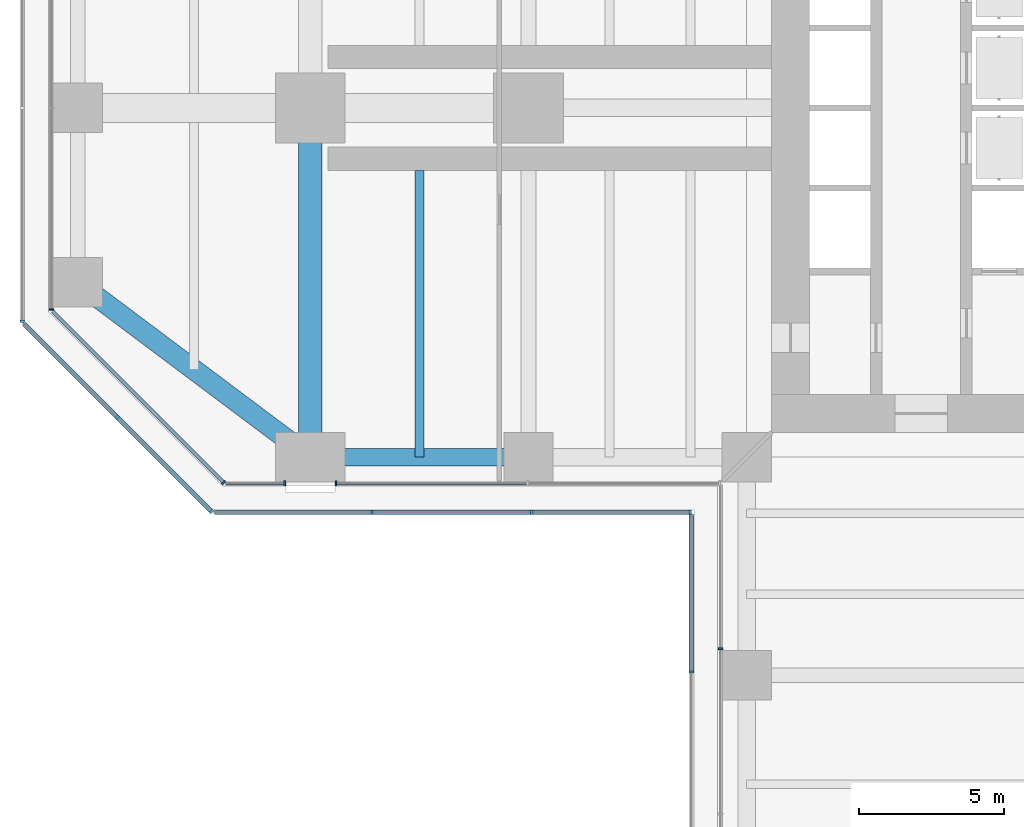
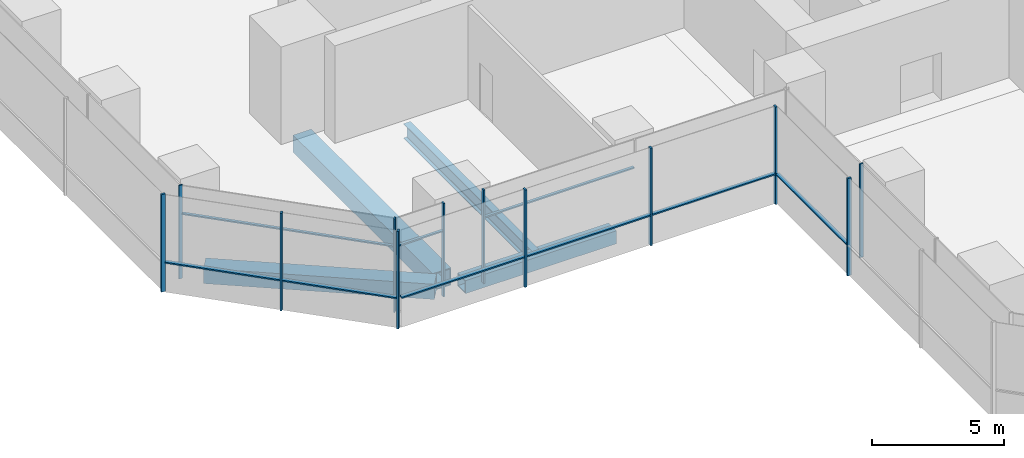
# One storey, part 3 of 27: 21 members, 4 beams, 9 elements without a shape of their own.
"""IFC4 building model written with IfcOpenShell, lengths in metres."""

from ifc_helpers import new_model, si_unit, direction, frame, origin, origin_2d, place, context, subcontext, project, spatial, rectangle, hollow_rectangle, i_section, extrude, material, material_profile, profile_set, type_object, element, aggregate, save


model = new_model("IFC4")

# Units and contexts
model_context = context("Model", 3, precision=1e-05, world=origin(), true_north=direction((0.0, 1.0)))
body_context = subcontext(model_context, "Body", "Model", "MODEL_VIEW")
ifc_project = project(units=[si_unit("LENGTHUNIT", "METRE"), si_unit("AREAUNIT", "SQUARE_METRE"), si_unit("VOLUMEUNIT", "CUBIC_METRE"), si_unit("PLANEANGLEUNIT", "RADIAN"), si_unit("MASSUNIT", "GRAM", prefix="KILO")], contexts=[model_context])

# Site, building, storey
site_placement = place(None, origin())
site = spatial("IfcSite", under=ifc_project, at=site_placement, CompositionType="ELEMENT")
building_placement = place(site_placement, origin())
building = spatial("IfcBuilding", under=site, at=building_placement, Name="Mizan Broadcast Tower", CompositionType="ELEMENT")
storey_placement = place(building_placement, frame((0.0, 0.0, 113.699951171875)))
storey = spatial("IfcBuildingStorey", under=building, at=storey_placement, Name="L25", CompositionType="ELEMENT", Elevation=113.699951171875)

# Beams
ifc_material_1 = material(Name="Steel S355", Category="steel")
ifc_material_profile_1 = material_profile(ifc_material_1, hollow_rectangle(XDim=0.60009765625, YDim=0.60009765625, WallThickness=0.0400390625, at=origin_2d()), Name="BOX 600x600x40")
ifc_profile_set_1 = profile_set([ifc_material_profile_1], Name="Steel S355")
beam_type_1 = type_object("IfcBeamType", Name="EDGE BEAM BOX 600x600x40", PredefinedType="SPANDREL", material=ifc_profile_set_1)
beam_1_placement = place(storey_placement, frame((-19.949951171875, -12.0, -0.429931640625), z_axis=(-1.0, 0.0, 0.0), x_axis=(0.0, -1.0, 0.0)))
element("IfcBeam", 1, at=beam_1_placement, inside=storey, type_object=beam_type_1, Name="Edge beam BOX 600x600x40 L25 west arm", PredefinedType="SPANDREL", context=body_context, shape_type="SweptSolid", body=[
    extrude(hollow_rectangle(XDim=0.60009765625, YDim=0.60009765625, WallThickness=0.0400390625, at=origin_2d()), origin(), (0.0, 0.0, 1.0), 6.60009765625),
])
ifc_material_2 = material(Name="Steel S355", Category="steel")
ifc_material_profile_2 = material_profile(ifc_material_2, hollow_rectangle(XDim=0.699951171875, YDim=0.699951171875, WallThickness=0.0400390625, at=origin_2d()), Name="BOX 700x700x40")
ifc_profile_set_2 = profile_set([ifc_material_profile_2], Name="Steel S355")
beam_type_2 = type_object("IfcBeamType", Name="EDGE BEAM BOX 700x700x40", PredefinedType="SPANDREL", material=ifc_profile_set_2)
beam_2_placement = place(storey_placement, frame((-27.47998046875, -11.639892578125, -0.47998046875), z_axis=(-0.800013316712, 0.599982243973, 0.0), x_axis=(-0.599982243973, -0.800013316712, 0.0)))
element("IfcBeam", 2, at=beam_2_placement, inside=storey, type_object=beam_type_2, Name="Edge beam BOX 700x700x40 L25 west arm", PredefinedType="SPANDREL", context=body_context, shape_type="SweptSolid", body=[
    extrude(hollow_rectangle(XDim=0.699951171875, YDim=0.699951171875, WallThickness=0.0400390625, at=origin_2d()), origin(), (0.0, 0.0, 1.0), 8.7998046875),
])
ifc_material_3 = material(Name="Steel S460", Category="steel")
ifc_material_profile_3 = material_profile(ifc_material_3, hollow_rectangle(XDim=0.800048828125, YDim=0.800048828125, WallThickness=0.050048828125, at=origin_2d()), Name="BOX 800x800x50")
ifc_profile_set_3 = profile_set([ifc_material_profile_3], Name="Steel S460")
beam_type_3 = type_object("IfcBeamType", Name="GIRDER BOX 800x800x50", PredefinedType="BEAM", material=ifc_profile_set_3)
beam_3_placement = place(storey_placement, frame((-27.0, -11.280029296875, -0.530029296875), z_axis=(0.0, 1.0, 0.0), x_axis=(-1.0, 0.0, 0.0)))
element("IfcBeam", 3, at=beam_3_placement, inside=storey, type_object=beam_type_3, Name="Girder BOX 800x800x50 L25 west arm", PredefinedType="BEAM", context=body_context, shape_type="SweptSolid", body=[
    extrude(hollow_rectangle(XDim=0.800048828125, YDim=0.800048828125, WallThickness=0.050048828125, at=origin_2d()), origin(), (0.0, 0.0, 1.0), 10.56005859375),
])

# Curtain wall, member
ifc_material_4 = material(Name="Aluminium framed glazing", Category="aluminium")
curtain_wall_type_1 = type_object("IfcCurtainWallType", Name="INNER SKIN MID ZONE", PredefinedType="USERDEFINED", material=ifc_material_4)
curtain_wall_1_placement = place(storey_placement, origin())
curtain_wall_1 = element("IfcCurtainWall", 4, at=curtain_wall_1_placement, inside=storey, type_object=curtain_wall_type_1, Name="Inner skin mid zone L25 W end", ObjectType="INNER SKIN MID ZONE", PredefinedType="USERDEFINED")
ifc_material_5 = material(Name="Aluminium, pale anodised", Category="aluminium")
ifc_material_profile_4 = material_profile(ifc_material_5, rectangle(XDim=0.159912109375, YDim=0.06005859375, at=origin_2d()), Name="MULLION 160x60")
ifc_profile_set_4 = profile_set([ifc_material_profile_4], Name="Aluminium, pale anodised")
member_type_1 = type_object("IfcMemberType", Name="INNER SKIN MULLION 60x160", PredefinedType="MULLION", material=ifc_profile_set_4)
member_1_placement = place(storey_placement, frame((-35.89990234375, -6.928466796875, 0.0), z_axis=(0.0, 0.0, 1.0), x_axis=(1.0, 0.0, 0.0)))
member_1 = element("IfcMember", 5, at=member_1_placement, type_object=member_type_1, Name="Inner skin mid zone L25 W end mullion 3", PredefinedType="MULLION", context=body_context, shape_type="SweptSolid", body=[
    extrude(rectangle(XDim=0.159912109375, YDim=0.06005859375, at=origin_2d()), origin(), (0.0, 0.0, 1.0), 4.320068359375),
])
aggregate(curtain_wall_1, [member_1])

curtain_wall_2_placement = place(storey_placement, origin())
curtain_wall_2 = element("IfcCurtainWall", 6, at=curtain_wall_2_placement, inside=storey, type_object=curtain_wall_type_1, Name="Inner skin mid zone L25 W chamfer", ObjectType="INNER SKIN MID ZONE", PredefinedType="USERDEFINED")
member_2_placement = place(storey_placement, frame((-29.979736328125, -12.87890625, 0.0), z_axis=(0.0, 0.0, 1.0), x_axis=(0.707106781187, 0.707106781187, 0.0)))
member_2 = element("IfcMember", 7, at=member_2_placement, type_object=member_type_1, Name="Inner skin mid zone L25 W chamfer mullion 2", PredefinedType="MULLION", context=body_context, shape_type="SweptSolid", body=[
    extrude(rectangle(XDim=0.159912109375, YDim=0.06005859375, at=origin_2d()), origin(), (0.0, 0.0, 1.0), 4.320068359375),
])

curtain_wall_3_placement = place(storey_placement, origin())
curtain_wall_3 = element("IfcCurtainWall", 8, at=curtain_wall_3_placement, inside=storey, type_object=curtain_wall_type_1, Name="Inner skin mid zone L25 W side", ObjectType="INNER SKIN MID ZONE", PredefinedType="USERDEFINED")
member_3_placement = place(storey_placement, frame((-27.8798828125, -12.89990234375, 0.0), z_axis=(0.0, 0.0, 1.0), x_axis=(0.0, 1.0, 0.0)))
member_3 = element("IfcMember", 9, at=member_3_placement, type_object=member_type_1, Name="Inner skin mid zone L25 W side mullion 2", PredefinedType="MULLION", context=body_context, shape_type="SweptSolid", body=[
    extrude(rectangle(XDim=0.159912109375, YDim=0.06005859375, at=origin_2d()), origin(), (0.0, 0.0, 1.0), 4.320068359375),
])

curtain_wall_4_placement = place(storey_placement, origin())
curtain_wall_4 = element("IfcCurtainWall", 10, at=curtain_wall_4_placement, inside=storey, type_object=curtain_wall_type_1, Name="Inner skin mid zone L25 W side", ObjectType="INNER SKIN MID ZONE", PredefinedType="USERDEFINED")
member_4_placement = place(storey_placement, frame((-26.1201171875, -12.89990234375, 0.0), z_axis=(0.0, 0.0, 1.0), x_axis=(0.0, 1.0, 0.0)))
member_4 = element("IfcMember", 11, at=member_4_placement, type_object=member_type_1, Name="Inner skin mid zone L25 W side mullion 1", PredefinedType="MULLION", context=body_context, shape_type="SweptSolid", body=[
    extrude(rectangle(XDim=0.159912109375, YDim=0.06005859375, at=origin_2d()), origin(), (0.0, 0.0, 1.0), 4.320068359375),
])

curtain_wall_5_placement = place(storey_placement, origin())
curtain_wall_5 = element("IfcCurtainWall", 12, at=curtain_wall_5_placement, inside=storey, type_object=curtain_wall_type_1, Name="Inner skin mid zone L25 S side", ObjectType="INNER SKIN MID ZONE", PredefinedType="USERDEFINED")
member_5_placement = place(storey_placement, frame((-12.89990234375, -18.586181640625, 0.0), z_axis=(0.0, 0.0, 1.0), x_axis=(1.0, 0.0, 0.0)))
member_5 = element("IfcMember", 13, at=member_5_placement, type_object=member_type_1, Name="Inner skin mid zone L25 S side mullion 2", PredefinedType="MULLION", context=body_context, shape_type="SweptSolid", body=[
    extrude(rectangle(XDim=0.159912109375, YDim=0.06005859375, at=origin_2d()), origin(), (0.0, 0.0, 1.0), 4.320068359375),
])
aggregate(curtain_wall_5, [member_5])

# Member
ifc_material_6 = material(Name="Aluminium, pale anodised", Category="aluminium")
ifc_material_profile_5 = material_profile(ifc_material_6, rectangle(XDim=0.1201171875, YDim=0.06005859375, at=origin_2d()), Name="TRANSOM 120x60")
ifc_profile_set_5 = profile_set([ifc_material_profile_5], Name="Aluminium, pale anodised")
member_type_2 = type_object("IfcMemberType", Name="INNER SKIN TRANSOM 60x120", PredefinedType="USERDEFINED", material=ifc_profile_set_5)
member_6_placement = place(storey_placement, frame((-35.857666015625, -7.0009765625, 3.030029296875), z_axis=(0.707106781187, -0.707106781187, 0.0), x_axis=(0.707106781187, 0.707106781187, 0.0)))
member_6 = element("IfcMember", 14, at=member_6_placement, type_object=member_type_2, Name="Inner skin mid zone L25 W chamfer transom 1.1", ObjectType="TRANSOM", PredefinedType="USERDEFINED", context=body_context, shape_type="SweptSolid", body=[
    extrude(rectangle(XDim=0.1201171875, YDim=0.06005859375, at=origin_2d()), origin(), (0.0, 0.0, 1.0), 8.28271484375),
])

aggregate(curtain_wall_2, [member_2, member_6])

member_7_placement = place(storey_placement, frame((-29.898681640625, -12.89990234375, 3.030029296875), z_axis=(1.0, 0.0, 0.0), x_axis=(0.0, 1.0, 0.0)))
member_7 = element("IfcMember", 15, at=member_7_placement, type_object=member_type_2, Name="Inner skin mid zone L25 W side transom 1.1", ObjectType="TRANSOM", PredefinedType="USERDEFINED", context=body_context, shape_type="SweptSolid", body=[
    extrude(rectangle(XDim=0.1201171875, YDim=0.06005859375, at=origin_2d()), origin(), (0.0, 0.0, 1.0), 1.98876953125),
])

aggregate(curtain_wall_3, [member_3, member_7])

member_8_placement = place(storey_placement, frame((-26.090087890625, -12.89990234375, 3.030029296875), z_axis=(1.0, 0.0, 0.0), x_axis=(0.0, 1.0, 0.0)))
member_8 = element("IfcMember", 16, at=member_8_placement, type_object=member_type_2, Name="Inner skin mid zone L25 W side transom 1.1", ObjectType="TRANSOM", PredefinedType="USERDEFINED", context=body_context, shape_type="SweptSolid", body=[
    extrude(rectangle(XDim=0.1201171875, YDim=0.06005859375, at=origin_2d()), origin(), (0.0, 0.0, 1.0), 6.53515625),
])

aggregate(curtain_wall_4, [member_4, member_8])

# Curtain wall, member
ifc_material_7 = material(Name="Aluminium framed glazing", Category="aluminium")
curtain_wall_type_2 = type_object("IfcCurtainWallType", Name="OUTER SKIN", PredefinedType="USERDEFINED", material=ifc_material_7)
curtain_wall_6_placement = place(storey_placement, origin())
curtain_wall_6 = element("IfcCurtainWall", 17, at=curtain_wall_6_placement, inside=storey, type_object=curtain_wall_type_2, Name="Outer skin L25 W end", ObjectType="OUTER SKIN", PredefinedType="USERDEFINED")
ifc_material_8 = material(Name="Aluminium, pale anodised", Category="aluminium")
ifc_material_profile_6 = material_profile(ifc_material_8, rectangle(XDim=0.159912109375, YDim=0.080078125, at=origin_2d()), Name="MULLION 160x80")
ifc_profile_set_6 = profile_set([ifc_material_profile_6], Name="Aluminium, pale anodised")
member_type_3 = type_object("IfcMemberType", Name="OUTER SKIN MULLION 80x160", PredefinedType="MULLION", material=ifc_profile_set_6)
member_9_placement = place(storey_placement, frame((-36.89990234375, -7.332763671875, 0.0), z_axis=(0.0, 0.0, 1.0), x_axis=(1.0, 0.0, 0.0)))
member_9 = element("IfcMember", 18, at=member_9_placement, type_object=member_type_3, Name="Outer skin L25 W end mullion 3", PredefinedType="MULLION", context=body_context, shape_type="SweptSolid", body=[
    extrude(rectangle(XDim=0.159912109375, YDim=0.080078125, at=origin_2d()), origin(), (0.0, 0.0, 1.0), 4.5),
])
aggregate(curtain_wall_6, [member_9])

# Curtain wall, members
curtain_wall_7_placement = place(storey_placement, origin())
curtain_wall_7 = element("IfcCurtainWall", 19, at=curtain_wall_7_placement, inside=storey, type_object=curtain_wall_type_2, Name="Outer skin L25 W chamfer", ObjectType="OUTER SKIN", PredefinedType="USERDEFINED")
member_10_placement = place(storey_placement, frame((-33.636474609375, -10.636474609375, 0.0), z_axis=(0.0, 0.0, 1.0), x_axis=(0.707106781187, 0.707106781187, 0.0)))
member_10 = element("IfcMember", 20, at=member_10_placement, type_object=member_type_3, Name="Outer skin L25 W chamfer mullion 2", PredefinedType="MULLION", context=body_context, shape_type="SweptSolid", body=[
    extrude(rectangle(XDim=0.159912109375, YDim=0.080078125, at=origin_2d()), origin(), (0.0, 0.0, 1.0), 4.5),
])
member_11_placement = place(storey_placement, frame((-30.401123046875, -13.871826171875, 0.0), z_axis=(0.0, 0.0, 1.0), x_axis=(0.707106781187, 0.707106781187, 0.0)))
member_11 = element("IfcMember", 21, at=member_11_placement, type_object=member_type_3, Name="Outer skin L25 W chamfer mullion 3", PredefinedType="MULLION", context=body_context, shape_type="SweptSolid", body=[
    extrude(rectangle(XDim=0.159912109375, YDim=0.080078125, at=origin_2d()), origin(), (0.0, 0.0, 1.0), 4.5),
])

curtain_wall_8_placement = place(storey_placement, origin())
curtain_wall_8 = element("IfcCurtainWall", 22, at=curtain_wall_8_placement, inside=storey, type_object=curtain_wall_type_2, Name="Outer skin L25 W side", ObjectType="OUTER SKIN", PredefinedType="USERDEFINED")
member_12_placement = place(storey_placement, frame((-24.8818359375, -13.89990234375, 0.0), z_axis=(0.0, 0.0, 1.0), x_axis=(0.0, 1.0, 0.0)))
member_12 = element("IfcMember", 23, at=member_12_placement, type_object=member_type_3, Name="Outer skin L25 W side mullion 2", PredefinedType="MULLION", context=body_context, shape_type="SweptSolid", body=[
    extrude(rectangle(XDim=0.159912109375, YDim=0.080078125, at=origin_2d()), origin(), (0.0, 0.0, 1.0), 4.5),
])
member_13_placement = place(storey_placement, frame((-19.390869140625, -13.89990234375, 0.0), z_axis=(0.0, 0.0, 1.0), x_axis=(0.0, 1.0, 0.0)))
member_13 = element("IfcMember", 24, at=member_13_placement, type_object=member_type_3, Name="Outer skin L25 W side mullion 3", PredefinedType="MULLION", context=body_context, shape_type="SweptSolid", body=[
    extrude(rectangle(XDim=0.159912109375, YDim=0.080078125, at=origin_2d()), origin(), (0.0, 0.0, 1.0), 4.5),
])
member_14_placement = place(storey_placement, frame((-13.93994140625, -13.89990234375, 0.0), z_axis=(0.0, 0.0, 1.0), x_axis=(0.0, 1.0, 0.0)))
member_14 = element("IfcMember", 25, at=member_14_placement, type_object=member_type_3, Name="Outer skin L25 W side mullion 4", PredefinedType="MULLION", context=body_context, shape_type="SweptSolid", body=[
    extrude(rectangle(XDim=0.159912109375, YDim=0.080078125, at=origin_2d()), origin(), (0.0, 0.0, 1.0), 4.5),
])

# Curtain wall, member
curtain_wall_9_placement = place(storey_placement, origin())
curtain_wall_9 = element("IfcCurtainWall", 26, at=curtain_wall_9_placement, inside=storey, type_object=curtain_wall_type_2, Name="Outer skin L25 S side", ObjectType="OUTER SKIN", PredefinedType="USERDEFINED")
member_15_placement = place(storey_placement, frame((-13.89990234375, -19.390869140625, 0.0), z_axis=(0.0, 0.0, 1.0), x_axis=(1.0, 0.0, 0.0)))
member_15 = element("IfcMember", 27, at=member_15_placement, type_object=member_type_3, Name="Outer skin L25 S side mullion 2", PredefinedType="MULLION", context=body_context, shape_type="SweptSolid", body=[
    extrude(rectangle(XDim=0.159912109375, YDim=0.080078125, at=origin_2d()), origin(), (0.0, 0.0, 1.0), 4.5),
])

# Member
ifc_material_9 = material(Name="Aluminium, pale anodised", Category="aluminium")
ifc_material_profile_7 = material_profile(ifc_material_9, rectangle(XDim=0.159912109375, YDim=0.06005859375, at=origin_2d()), Name="TRANSOM 160x60")
ifc_profile_set_7 = profile_set([ifc_material_profile_7], Name="Aluminium, pale anodised")
member_type_4 = type_object("IfcMemberType", Name="OUTER SKIN TRANSOM 60x160", PredefinedType="USERDEFINED", material=ifc_profile_set_7)
member_16_placement = place(storey_placement, frame((-36.843505859375, -7.429443359375, 1.400146484375), z_axis=(0.707106781187, -0.707106781187, 0.0), x_axis=(0.707106781187, 0.707106781187, 0.0)))
member_16 = element("IfcMember", 28, at=member_16_placement, type_object=member_type_4, Name="Outer skin L25 W chamfer transom 1.1", ObjectType="TRANSOM", PredefinedType="USERDEFINED", context=body_context, shape_type="SweptSolid", body=[
    extrude(rectangle(XDim=0.159912109375, YDim=0.06005859375, at=origin_2d()), origin(), (0.0, 0.0, 1.0), 4.495361328125),
])

member_17_placement = place(storey_placement, frame((-33.608154296875, -10.664794921875, 1.400146484375), z_axis=(0.707106781187, -0.707106781187, 0.0), x_axis=(0.707106781187, 0.707106781187, 0.0)))
member_17 = element("IfcMember", 29, at=member_17_placement, type_object=member_type_4, Name="Outer skin L25 W chamfer transom 2.1", ObjectType="TRANSOM", PredefinedType="USERDEFINED", context=body_context, shape_type="SweptSolid", body=[
    extrude(rectangle(XDim=0.159912109375, YDim=0.06005859375, at=origin_2d()), origin(), (0.0, 0.0, 1.0), 4.495361328125),
])

aggregate(curtain_wall_7, [member_10, member_11, member_16, member_17])

member_18_placement = place(storey_placement, frame((-30.292724609375, -13.89990234375, 1.400146484375), z_axis=(1.0, 0.0, 0.0), x_axis=(0.0, 1.0, 0.0)))
member_18 = element("IfcMember", 30, at=member_18_placement, type_object=member_type_4, Name="Outer skin L25 W side transom 1.1", ObjectType="TRANSOM", PredefinedType="USERDEFINED", context=body_context, shape_type="SweptSolid", body=[
    extrude(rectangle(XDim=0.159912109375, YDim=0.06005859375, at=origin_2d()), origin(), (0.0, 0.0, 1.0), 5.370849609375),
])

member_19_placement = place(storey_placement, frame((-24.841796875, -13.89990234375, 1.400146484375), z_axis=(1.0, 0.0, 0.0), x_axis=(0.0, 1.0, 0.0)))
member_19 = element("IfcMember", 31, at=member_19_placement, type_object=member_type_4, Name="Outer skin L25 W side transom 2.1", ObjectType="TRANSOM", PredefinedType="USERDEFINED", context=body_context, shape_type="SweptSolid", body=[
    extrude(rectangle(XDim=0.159912109375, YDim=0.06005859375, at=origin_2d()), origin(), (0.0, 0.0, 1.0), 5.410888671875),
])

member_20_placement = place(storey_placement, frame((-19.350830078125, -13.89990234375, 1.400146484375), z_axis=(1.0, 0.0, 0.0), x_axis=(0.0, 1.0, 0.0)))
member_20 = element("IfcMember", 32, at=member_20_placement, type_object=member_type_4, Name="Outer skin L25 W side transom 3.1", ObjectType="TRANSOM", PredefinedType="USERDEFINED", context=body_context, shape_type="SweptSolid", body=[
    extrude(rectangle(XDim=0.159912109375, YDim=0.06005859375, at=origin_2d()), origin(), (0.0, 0.0, 1.0), 5.370849609375),
])

aggregate(curtain_wall_8, [member_12, member_13, member_14, member_18, member_19, member_20])

member_21_placement = place(storey_placement, frame((-13.89990234375, -13.97998046875, 1.400146484375), z_axis=(0.0, -1.0, 0.0), x_axis=(1.0, 0.0, 0.0)))
member_21 = element("IfcMember", 33, at=member_21_placement, type_object=member_type_4, Name="Outer skin L25 S side transom 1.1", ObjectType="TRANSOM", PredefinedType="USERDEFINED", context=body_context, shape_type="SweptSolid", body=[
    extrude(rectangle(XDim=0.159912109375, YDim=0.06005859375, at=origin_2d()), origin(), (0.0, 0.0, 1.0), 5.370849609375),
])

aggregate(curtain_wall_9, [member_15, member_21])

# Beam
ifc_material_10 = material(Name="Steel S355", Category="steel")
ifc_material_profile_8 = material_profile(ifc_material_10, i_section(OverallWidth=0.300048828125, OverallDepth=0.68994140625, WebThickness=0.014404296875, FlangeThickness=0.027099609375, FilletRadius=0.027099609375, at=origin_2d()), Name="HEA 700")
ifc_profile_set_8 = profile_set([ifc_material_profile_8], Name="Steel S355")
beam_type_4 = type_object("IfcBeamType", Name="SECONDARY BEAM HEA 700", PredefinedType="JOIST", material=ifc_profile_set_8)
beam_4_placement = place(storey_placement, frame((-23.25, -12.0, -0.474853515625), z_axis=(0.0, 1.0, 0.0), x_axis=(-1.0, 0.0, 0.0)))
element("IfcBeam", 34, at=beam_4_placement, inside=storey, type_object=beam_type_4, Name="Secondary beam HEA 700 L25 west arm", PredefinedType="JOIST", context=body_context, shape_type="SweptSolid", body=[
    extrude(i_section(OverallWidth=0.300048828125, OverallDepth=0.68994140625, WebThickness=0.014404296875, FlangeThickness=0.027099609375, FilletRadius=0.027099609375, at=origin_2d()), origin(), (0.0, 0.0, 1.0), 9.85009765625),
])

save(model, "model.ifc")
